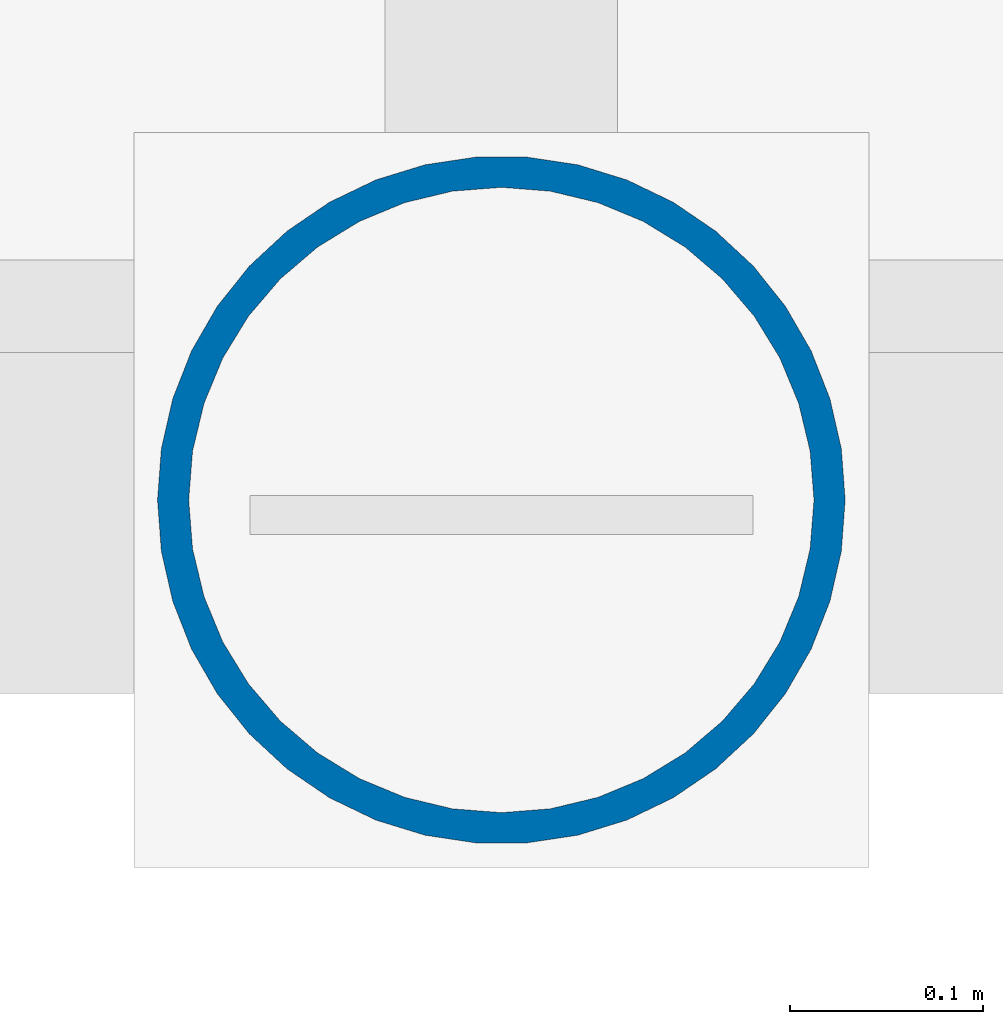
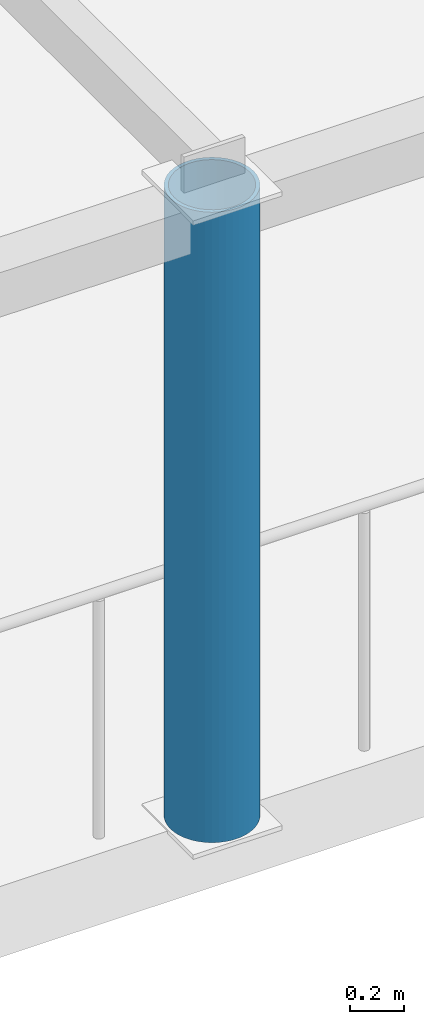
# One storey, part 2 of 24: 1 column.
"""IFC4 building model written with IfcOpenShell, lengths in metres."""

from ifc_helpers import new_model, si_unit, direction, frame, origin, origin_2d, place, context, subcontext, project, spatial, hollow_circle, extrude, material, material_profile, profile_set, type_object, element, save


model = new_model("IFC4")

# Units and contexts
model_context = context("Model", 3, precision=1e-05, world=origin(), true_north=direction((0.0, 1.0)))
body_context = subcontext(model_context, "Body", "Model", "MODEL_VIEW")
ifc_project = project(units=[si_unit("LENGTHUNIT", "METRE"), si_unit("AREAUNIT", "SQUARE_METRE"), si_unit("VOLUMEUNIT", "CUBIC_METRE"), si_unit("PLANEANGLEUNIT", "RADIAN"), si_unit("MASSUNIT", "GRAM", prefix="KILO")], contexts=[model_context])

# Site, building, storey
site_placement = place(None, origin())
site = spatial("IfcSite", under=ifc_project, at=site_placement, CompositionType="ELEMENT")
building_placement = place(site_placement, origin())
building = spatial("IfcBuilding", under=site, at=building_placement, Name="Cumbredor Promenade Congress Hotel", CompositionType="ELEMENT")
storey_placement = place(building_placement, frame((0.0, 0.0, 35.280029296875)))
storey = spatial("IfcBuildingStorey", under=building, at=storey_placement, Name="L10", CompositionType="ELEMENT", Elevation=35.280029296875)

# Column
ifc_material = material(Name="Steel ASTM A500 Grade C", Category="steel")
ifc_material_profile = material_profile(ifc_material, hollow_circle(Radius=0.177734375, WallThickness=0.01611328125, at=origin_2d()), Name="CHS 355.6x16")
ifc_profile_set = profile_set([ifc_material_profile], Name="Steel ASTM A500 Grade C")
column_type = type_object("IfcColumnType", Name="COL-STL-CHS355", PredefinedType="COLUMN", material=ifc_profile_set)
column_placement = place(storey_placement, frame((58.800048828125, 92.39990234375, 0.0048828125), z_axis=(0.0, 0.0, 1.0), x_axis=(1.0, 0.0, 0.0)))
element("IfcColumn", 1, at=column_placement, inside=storey, type_object=column_type, Name="L10 Sky-Garden Pergola Post 5.4", PredefinedType="COLUMN", context=body_context, shape_type="SweptSolid", body=[
    extrude(hollow_circle(Radius=0.177734375, WallThickness=0.01611328125, at=origin_2d()), origin(), (0.0, 0.0, 1.0), 2.844970703125),
])

save(model, "model.ifc")
